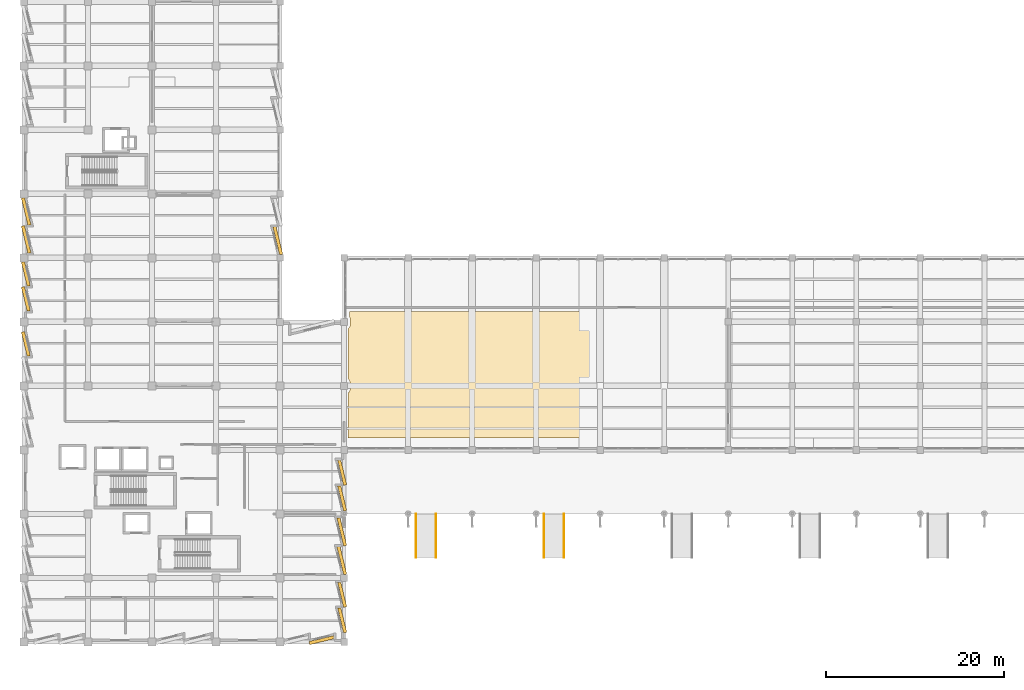
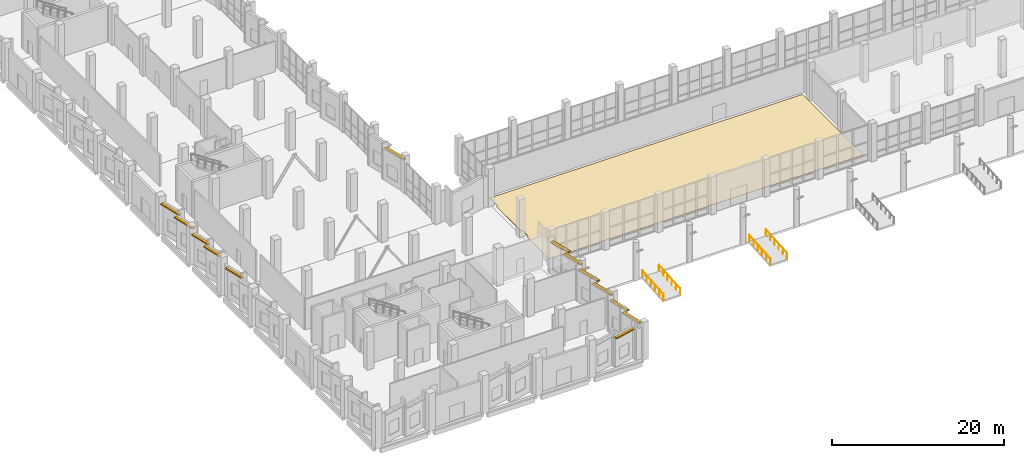
# One storey, part 121 of 137: 13 shading devices, 4 railings, 1 covering.
"""IFC4 building model written with IfcOpenShell, lengths in metres."""

from ifc_helpers import new_model, si_unit, direction, frame, origin, origin_2d, place, context, subcontext, project, spatial, polyline, rectangle, circle, outline, extrude, material, layer, layer_set, type_object, element, save


model = new_model("IFC4")

# Units and contexts
model_context = context("Model", 3, precision=1e-05, world=origin(), true_north=direction((0.0, 1.0)))
body_context = subcontext(model_context, "Body", "Model", "MODEL_VIEW")
ifc_project = project(units=[si_unit("LENGTHUNIT", "METRE"), si_unit("AREAUNIT", "SQUARE_METRE"), si_unit("VOLUMEUNIT", "CUBIC_METRE"), si_unit("PLANEANGLEUNIT", "RADIAN"), si_unit("MASSUNIT", "GRAM", prefix="KILO")], contexts=[model_context])

# Site, building, storey
site_placement = place(None, origin())
site = spatial("IfcSite", under=ifc_project, at=site_placement, CompositionType="ELEMENT")
building_placement = place(site_placement, origin())
building = spatial("IfcBuilding", under=site, at=building_placement, Name="Kalmorath City Hall", CompositionType="ELEMENT")
storey_placement = place(building_placement, origin())
storey = spatial("IfcBuildingStorey", under=building, at=storey_placement, Name="L00", CompositionType="ELEMENT", Elevation=0.0)

# Covering
ifc_material_1 = material(Name="Polished terrazzo finish")
ifc_layer_1 = layer(ifc_material_1, 0.034912109375)
ifc_layer_set_1 = layer_set([ifc_layer_1], Name="Polished terrazzo finish")
covering_type = type_object("IfcCoveringType", Name="Polished civic terrazzo floor finish 35", PredefinedType="FLOORING", material=ifc_layer_set_1)
covering_placement = place(storey_placement, origin())
element("IfcCovering", 1, at=covering_placement, inside=storey, type_object=covering_type, Name="L00 Great Public Hall terrazzo flooring", PredefinedType="FLOORING", context=body_context, shape_type="SweptSolid", body=[
    extrude(outline(polyline([(36.449951171875, 28.02587890625), (36.449951171875, 28.02587890625), (36.485595703125, 28.052001953125), (36.518310546875, 28.081787109375), (36.5478515625, 28.114501953125), (36.57421875, 28.14990234375), (36.596923828125, 28.18798828125), (36.61572265625, 28.227783203125), (36.630615234375, 28.269287109375), (36.641357421875, 28.312255859375), (36.647705078125, 28.35595703125), (36.64990234375, 28.39990234375), (36.64990234375, 29.199951171875), (36.647705078125, 29.244140625), (36.641357421875, 29.287841796875), (36.630615234375, 29.33056640625), (36.61572265625, 29.372314453125), (36.596923828125, 29.412109375), (36.57421875, 29.449951171875), (36.5478515625, 29.485595703125), (36.518310546875, 29.518310546875), (36.485595703125, 29.5478515625), (36.449951171875, 29.57421875), (36.449951171875, 29.57421875), (36.449951171875, 35.225830078125), (36.449951171875, 35.225830078125), (36.485595703125, 35.252197265625), (36.518310546875, 35.28173828125), (36.5478515625, 35.314453125), (36.57421875, 35.35009765625), (36.596923828125, 35.387939453125), (36.61572265625, 35.427734375), (36.630615234375, 35.469482421875), (36.641357421875, 35.51220703125), (36.647705078125, 35.555908203125), (36.64990234375, 35.60009765625), (36.64990234375, 36.39990234375), (36.647705078125, 36.444091796875), (36.641357421875, 36.48779296875), (36.630615234375, 36.530517578125), (36.6298828125, 36.532470703125), (36.6298828125, 37.14990234375), (78.75, 37.14990234375), (78.75, 22.949951171875), (36.449951171875, 22.949951171875), (36.449951171875, 28.02587890625)])), origin(), (0.0, 0.0, 1.0), 0.034912109375),
])

# Shading devices
ifc_material_2 = material(Name="Precast concrete C40/50", Category="concrete")
ifc_layer_2 = layer(ifc_material_2, 0.179931640625)
ifc_layer_set_2 = layer_set([ifc_layer_2], Name="Precast concrete C40/50")
shading_device_type = type_object("IfcShadingDeviceType", Name="Precast sawtooth brow sunshade 350", PredefinedType="USERDEFINED", material=ifc_layer_set_2)
for number, where, z_axis, x_axis, name in (
    (2, (0.2060546875, 33.5107421875, 4.2509765625), (0.0, 0.0, 1.0), (-0.233445363856, 0.972369920398, 0.0), "L00 precast sawtooth hood #8"),
    (3, (0.2060546875, 38.581787109375, 4.2509765625), (0.0, 0.0, 1.0), (-0.233445363856, 0.972369920398, 0.0), "L00 precast sawtooth hood #9"),
    (4, (0.2060546875, 41.390625, 4.2509765625), (0.0, 0.0, 1.0), (-0.233445363856, 0.972369920398, 0.0), "L00 precast sawtooth hood #10"),
):
    element("IfcShadingDevice", number, at=place(storey_placement, frame(where, z_axis=z_axis, x_axis=x_axis)), inside=storey, type_object=shading_device_type, Name=name, ObjectType="SUNSHADE", PredefinedType="USERDEFINED", context=body_context, shape_type="SweptSolid", body=[
        extrude(rectangle(XDim=2.793701171875, YDim=0.360107421875, at=origin_2d()), origin(), (0.0, 0.0, 1.0), 0.179931640625),
    ])
for number, where, z_axis, x_axis, name in (
    (5, (0.246826171875, 45.271728515625, 4.2509765625), (0.0, 0.0, 1.0), (-0.233445363856, 0.972369920398, 0.0), "L00 precast sawtooth hood #11"),
    (6, (0.246826171875, 48.420654296875, 4.2509765625), (0.0, 0.0, 1.0), (-0.233445363856, 0.972369920398, 0.0), "L00 precast sawtooth hood #12"),
):
    element("IfcShadingDevice", number, at=place(storey_placement, frame(where, z_axis=z_axis, x_axis=x_axis)), inside=storey, type_object=shading_device_type, Name=name, ObjectType="SUNSHADE", PredefinedType="USERDEFINED", context=body_context, shape_type="SweptSolid", body=[
        extrude(rectangle(XDim=3.1435546875, YDim=0.360107421875, at=origin_2d()), origin(), (0.0, 0.0, 1.0), 0.179931640625),
    ])
for number, where, z_axis, x_axis, name in (
    (7, (35.783447265625, 19.049560546875, 4.2509765625), (0.0, 0.0, 1.0), (0.233445363856, -0.972369920398, 0.0), "L00 precast sawtooth hood #50"),
    (8, (35.783447265625, 16.153076171875, 4.2509765625), (0.0, 0.0, 1.0), (0.233445363856, -0.972369920398, 0.0), "L00 precast sawtooth hood #51"),
):
    element("IfcShadingDevice", number, at=place(storey_placement, frame(where, z_axis=z_axis, x_axis=x_axis)), inside=storey, type_object=shading_device_type, Name=name, ObjectType="SUNSHADE", PredefinedType="USERDEFINED", context=body_context, shape_type="SweptSolid", body=[
        extrude(rectangle(XDim=2.8837890625, YDim=0.360107421875, at=origin_2d()), origin(), (0.0, 0.0, 1.0), 0.179931640625),
    ])
for number, where, z_axis, x_axis, name in (
    (9, (35.744140625, 12.390869140625, 4.2509765625), (0.0, 0.0, 1.0), (0.233445363856, -0.972369920398, 0.0), "L00 precast sawtooth hood #52"),
    (10, (35.744140625, 9.166748046875, 4.2509765625), (0.0, 0.0, 1.0), (0.233445363856, -0.972369920398, 0.0), "L00 precast sawtooth hood #53"),
):
    element("IfcShadingDevice", number, at=place(storey_placement, frame(where, z_axis=z_axis, x_axis=x_axis)), inside=storey, type_object=shading_device_type, Name=name, ObjectType="SUNSHADE", PredefinedType="USERDEFINED", context=body_context, shape_type="SweptSolid", body=[
        extrude(rectangle(XDim=3.220703125, YDim=0.360107421875, at=origin_2d()), origin(), (0.0, 0.0, 1.0), 0.179931640625),
    ])
for number, where, z_axis, x_axis, name in (
    (11, (35.786376953125, 5.317138671875, 4.2509765625), (0.0, 0.0, 1.0), (0.233445363856, -0.972369920398, 0.0), "L00 precast sawtooth hood #54"),
    (12, (35.786376953125, 2.445556640625, 4.2509765625), (0.0, 0.0, 1.0), (0.233445363856, -0.972369920398, 0.0), "L00 precast sawtooth hood #55"),
):
    element("IfcShadingDevice", number, at=place(storey_placement, frame(where, z_axis=z_axis, x_axis=x_axis)), inside=storey, type_object=shading_device_type, Name=name, ObjectType="SUNSHADE", PredefinedType="USERDEFINED", context=body_context, shape_type="SweptSolid", body=[
        extrude(rectangle(XDim=2.858154296875, YDim=0.360107421875, at=origin_2d()), origin(), (0.0, 0.0, 1.0), 0.179931640625),
    ])
shading_device_1_placement = place(storey_placement, frame((33.474609375, 0.210693359375, 4.201171875), z_axis=(0.0, 0.0, 1.0), x_axis=(-0.972369920398, -0.233445363856, 0.0)))
element("IfcShadingDevice", 13, at=shading_device_1_placement, inside=storey, type_object=shading_device_type, Name="L00 precast sawtooth hood #56", ObjectType="SUNSHADE", PredefinedType="USERDEFINED", context=body_context, shape_type="SweptSolid", body=[
    extrude(rectangle(XDim=2.83251953125, YDim=0.360107421875, at=origin_2d()), origin(), (0.0, 0.0, 1.0), 0.179931640625),
])
shading_device_2_placement = place(storey_placement, frame((28.544189453125, 45.141845703125, 4.2509765625), z_axis=(0.0, 0.0, 1.0), x_axis=(0.233445363856, -0.972369920398, 0.0)))
element("IfcShadingDevice", 14, at=shading_device_2_placement, inside=storey, type_object=shading_device_type, Name="L00 precast sawtooth hood #84", ObjectType="SUNSHADE", PredefinedType="USERDEFINED", context=body_context, shape_type="SweptSolid", body=[
    extrude(rectangle(XDim=3.220703125, YDim=0.360107421875, at=origin_2d()), origin(), (0.0, 0.0, 1.0), 0.179931640625),
])

# Railings
ifc_material_3 = material(Name="Stainless steel handrail", Category="steel")
railing_type = type_object("IfcRailingType", Name="Ramp accessibility handrail 920", PredefinedType="HANDRAIL", material=ifc_material_3)
for number, where, name in (
    (15, (44.080078125, 9.5, -0.35009765625), "Entrance ramp 1 handrail W"),
    (16, (46.320068359375, 9.5, -0.35009765625), "Entrance ramp 1 handrail E"),
    (17, (58.47998046875, 9.5, -0.35009765625), "Entrance ramp 2 handrail W"),
    (18, (60.719970703125, 9.5, -0.35009765625), "Entrance ramp 2 handrail E"),
):
    element("IfcRailing", number, at=place(storey_placement, frame(where)), inside=storey, type_object=railing_type, Name=name, PredefinedType="HANDRAIL", context=body_context, shape_type="SweptSolid", body=[
        extrude(circle(Radius=0.02392578125, at=origin_2d()), frame((0.0, 0.0, 0.89599609375), z_axis=(0.0, 0.997457185933, 0.071268241387), x_axis=(-1.0, 0.0, 0.0)), (0.0, 0.0, 1.0), 4.912353515625),
        extrude(circle(Radius=0.02099609375, at=origin_2d()), origin(), (0.0, 0.0, 1.0), 0.871826171875),
        extrude(circle(Radius=0.02099609375, at=origin_2d()), frame((0.0, 0.97998046875, 0.070068359375)), (0.0, 0.0, 1.0), 0.871826171875),
        extrude(circle(Radius=0.02099609375, at=origin_2d()), frame((0.0, 1.9599609375, 0.14013671875)), (0.0, 0.0, 1.0), 0.871826171875),
        extrude(circle(Radius=0.02099609375, at=origin_2d()), frame((0.0, 2.93994140625, 0.2099609375)), (0.0, 0.0, 1.0), 0.871826171875),
        extrude(circle(Radius=0.02099609375, at=origin_2d()), frame((0.0, 3.919921875, 0.280029296875)), (0.0, 0.0, 1.0), 0.871826171875),
        extrude(circle(Radius=0.02099609375, at=origin_2d()), frame((0.0, 4.89990234375, 0.35009765625)), (0.0, 0.0, 1.0), 0.871826171875),
    ])

save(model, "model.ifc")
